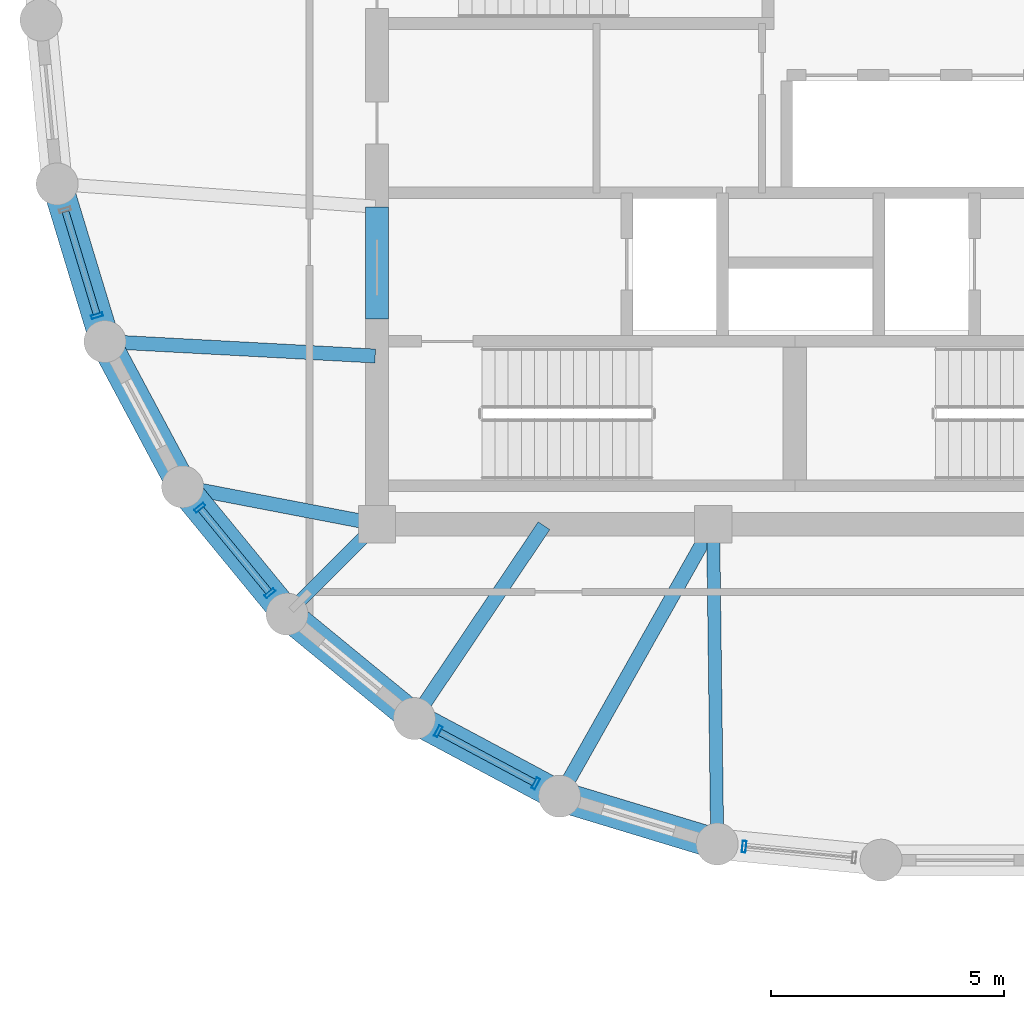
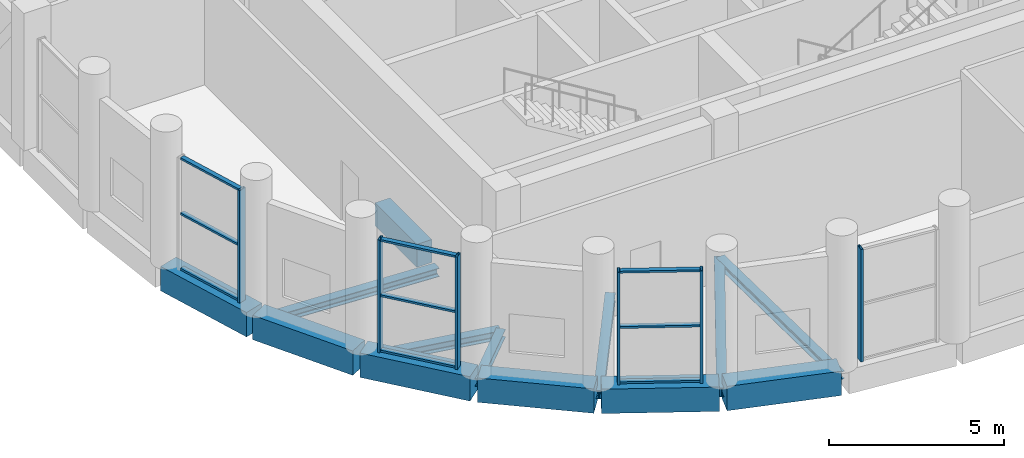
# One storey, part 2 of 16: 15 members, 13 beams, 4 elements without a shape of their own.
"""IFC4 building model written with IfcOpenShell, lengths in metres."""

from ifc_helpers import new_model, si_unit, direction, frame, origin, origin_2d, place, context, subcontext, project, spatial, rectangle, hollow_rectangle, i_section, extrude, material, layer, layer_set, material_profile, profile_set, type_object, element, aggregate, save


model = new_model("IFC4")

# Units and contexts
model_context = context("Model", 3, precision=1e-05, world=origin(), true_north=direction((0.0, 1.0)))
body_context = subcontext(model_context, "Body", "Model", "MODEL_VIEW")
ifc_project = project(units=[si_unit("LENGTHUNIT", "METRE"), si_unit("AREAUNIT", "SQUARE_METRE"), si_unit("VOLUMEUNIT", "CUBIC_METRE"), si_unit("PLANEANGLEUNIT", "RADIAN"), si_unit("MASSUNIT", "GRAM", prefix="KILO")], contexts=[model_context])

# Site, building, storey
site_placement = place(None, origin())
site = spatial("IfcSite", under=ifc_project, at=site_placement, CompositionType="ELEMENT")
building_placement = place(site_placement, origin())
building = spatial("IfcBuilding", under=site, at=building_placement, Name="Solnavia Interchange Tower", CompositionType="ELEMENT")
storey_placement = place(building_placement, frame((0.0, 0.0, 209.0)))
storey = spatial("IfcBuildingStorey", under=building, at=storey_placement, Name="L52", CompositionType="ELEMENT", Elevation=209.0)

# Beams
ifc_material_1 = material(Name="Concrete C50/60", Category="concrete")
ifc_material_profile_1 = material_profile(ifc_material_1, rectangle(XDim=0.5, YDim=0.800048828125, at=origin_2d()), Name="RC 500x800")
ifc_profile_set_1 = profile_set([ifc_material_profile_1], Name="Concrete C50/60")
beam_type_1 = type_object("IfcBeamType", Name="Beam-Coupling-RC500x800", PredefinedType="LINTEL", material=ifc_profile_set_1)
beam_1_placement = place(storey_placement, frame((14.39990234375, 15.199951171875, -0.39990234375), z_axis=(0.0, 1.0, 0.0), x_axis=(-1.0, 0.0, 0.0)))
element("IfcBeam", 1, at=beam_1_placement, inside=storey, type_object=beam_type_1, Name="CPB-L52-W1 Core coupling lintel beam", PredefinedType="LINTEL", context=body_context, shape_type="SweptSolid", body=[
    extrude(rectangle(XDim=0.5, YDim=0.800048828125, at=origin_2d()), origin(), (0.0, 0.0, 1.0), 2.400146484375),
])
ifc_material_2 = material(Name="Steel S460", Category="steel")
ifc_material_profile_2 = material_profile(ifc_material_2, i_section(OverallWidth=0.300048828125, OverallDepth=0.300048828125, WebThickness=0.010986328125, FlangeThickness=0.01904296875, FilletRadius=0.027099609375, at=origin_2d()), Name="HEB 300")
ifc_profile_set_2 = profile_set([ifc_material_profile_2], Name="Steel S460")
beam_type_2 = type_object("IfcBeamType", Name="Beam-Girder-HEB300", PredefinedType="BEAM", material=ifc_profile_set_2)
beam_2_placement = place(storey_placement, frame((8.64990234375, 14.707763671875, -0.469970703125), z_axis=(0.998570371303, -0.053452909696, 0.0), x_axis=(0.053452909696, 0.998570371303, 0.0)))
element("IfcBeam", 2, at=beam_2_placement, inside=storey, type_object=beam_type_2, Name="GRD-L52-DR13 Drum radial floor girder", PredefinedType="BEAM", context=body_context, shape_type="SweptSolid", body=[
    extrude(i_section(OverallWidth=0.300048828125, OverallDepth=0.300048828125, WebThickness=0.010986328125, FlangeThickness=0.01904296875, FilletRadius=0.027099609375, at=origin_2d()), origin(), (0.0, 0.0, 1.0), 5.71826171875),
])
beam_3_placement = place(storey_placement, frame((15.24462890625, 6.700439453125, -0.469970703125), z_axis=(0.557835474219, 0.829951555033, 0.0), x_axis=(-0.829951555033, 0.557835474219, 0.0)))
element("IfcBeam", 3, at=beam_3_placement, inside=storey, type_object=beam_type_2, Name="GRD-L52-DR16 Drum radial floor girder", PredefinedType="BEAM", context=body_context, shape_type="SweptSolid", body=[
    extrude(i_section(OverallWidth=0.300048828125, OverallDepth=0.300048828125, WebThickness=0.010986328125, FlangeThickness=0.01904296875, FilletRadius=0.027099609375, at=origin_2d()), origin(), (0.0, 0.0, 1.0), 4.899658203125),
])
ifc_material_3 = material(Name="Steel S355", Category="steel")
ifc_material_profile_3 = material_profile(ifc_material_3, i_section(OverallWidth=0.280029296875, OverallDepth=0.27001953125, WebThickness=0.008056640625, FlangeThickness=0.012939453125, FilletRadius=0.02392578125, at=origin_2d()), Name="HEA 280")
ifc_profile_set_3 = profile_set([ifc_material_profile_3], Name="Steel S355")
beam_type_3 = type_object("IfcBeamType", Name="Beam-Primary-HEA280", PredefinedType="BEAM", material=ifc_profile_set_3)
beam_4_placement = place(storey_placement, frame((12.528564453125, 8.9287109375, -0.455078125), z_axis=(0.707106781187, 0.707106781187, 0.0), x_axis=(-0.707106781187, 0.707106781187, 0.0)))
element("IfcBeam", 4, at=beam_4_placement, inside=storey, type_object=beam_type_3, Name="GRD-L52-DR15 Drum radial floor girder", PredefinedType="BEAM", context=body_context, shape_type="SweptSolid", body=[
    extrude(i_section(OverallWidth=0.280029296875, OverallDepth=0.27001953125, WebThickness=0.008056640625, FlangeThickness=0.012939453125, FilletRadius=0.02392578125, at=origin_2d()), origin(), (0.0, 0.0, 1.0), 2.6064453125),
])
beam_5_placement = place(storey_placement, frame((21.68701171875, 4.02587890625, -0.455078125), z_axis=(-0.01283293513, 0.999917654498, 0.0), x_axis=(-0.999917654498, -0.01283293513, 0.0)))
element("IfcBeam", 5, at=beam_5_placement, inside=storey, type_object=beam_type_3, Name="GRD-L52-DR18 Drum radial floor girder", PredefinedType="BEAM", context=body_context, shape_type="SweptSolid", body=[
    extrude(i_section(OverallWidth=0.280029296875, OverallDepth=0.27001953125, WebThickness=0.008056640625, FlangeThickness=0.012939453125, FilletRadius=0.02392578125, at=origin_2d()), origin(), (0.0, 0.0, 1.0), 6.734619140625),
])
ifc_material_profile_4 = material_profile(ifc_material_3, i_section(OverallWidth=0.300048828125, OverallDepth=0.31005859375, WebThickness=0.009033203125, FlangeThickness=0.015380859375, FilletRadius=0.027099609375, at=origin_2d()), Name="HEA 320")
ifc_profile_set_4 = profile_set([ifc_material_profile_4], Name="Steel S355")
beam_type_4 = type_object("IfcBeamType", Name="Beam-Primary-HEA320", PredefinedType="BEAM", material=ifc_profile_set_4)
beam_6_placement = place(storey_placement, frame((10.3125, 11.5849609375, -0.47509765625), z_axis=(0.982057527796, -0.188581579428, 0.0), x_axis=(0.188581579428, 0.982057527796, 0.0)))
element("IfcBeam", 6, at=beam_6_placement, inside=storey, type_object=beam_type_4, Name="GRD-L52-DR14 Drum radial floor girder", PredefinedType="BEAM", context=body_context, shape_type="SweptSolid", body=[
    extrude(i_section(OverallWidth=0.300048828125, OverallDepth=0.31005859375, WebThickness=0.009033203125, FlangeThickness=0.015380859375, FilletRadius=0.027099609375, at=origin_2d()), origin(), (0.0, 0.0, 1.0), 4.1220703125),
])
beam_7_placement = place(storey_placement, frame((18.351318359375, 5.039794921875, -0.47509765625), z_axis=(0.491243158486, 0.871022479182, 0.0), x_axis=(-0.871022479182, 0.491243158486, 0.0)))
element("IfcBeam", 7, at=beam_7_placement, inside=storey, type_object=beam_type_4, Name="GRD-L52-DR17 Drum radial floor girder", PredefinedType="BEAM", context=body_context, shape_type="SweptSolid", body=[
    extrude(i_section(OverallWidth=0.300048828125, OverallDepth=0.31005859375, WebThickness=0.009033203125, FlangeThickness=0.015380859375, FilletRadius=0.027099609375, at=origin_2d()), origin(), (0.0, 0.0, 1.0), 6.5732421875),
])
ifc_material_profile_5 = material_profile(ifc_material_1, rectangle(XDim=0.64990234375, YDim=0.85009765625, at=origin_2d()), Name="RC 650x850")
ifc_profile_set_5 = profile_set([ifc_material_profile_5], Name="Concrete C50/60")
beam_type_5 = type_object("IfcBeamType", Name="Beam-Spandrel-RC650x850", PredefinedType="SPANDREL", material=ifc_profile_set_5)
beam_8_placement = place(storey_placement, frame((7.569091796875, 18.011474609375, -0.425048828125), z_axis=(0.290319223646, -0.956929855518, 0.0), x_axis=(0.956929855518, 0.290319223646, 0.0)))
element("IfcBeam", 8, at=beam_8_placement, inside=storey, type_object=beam_type_5, Name="SPB-L52-02 Framed-tube perimeter spandrel beam", PredefinedType="SPANDREL", context=body_context, shape_type="SweptSolid", body=[
    extrude(rectangle(XDim=0.64990234375, YDim=0.85009765625, at=origin_2d()), origin(), (0.0, 0.0, 1.0), 3.367919921875),
])
beam_9_placement = place(storey_placement, frame((8.607666015625, 14.6416015625, -0.425048828125), z_axis=(0.471509422952, -0.881861023102, 0.0), x_axis=(0.881861023102, 0.471509422952, 0.0)))
element("IfcBeam", 9, at=beam_9_placement, inside=storey, type_object=beam_type_5, Name="SPB-L52-03 Framed-tube perimeter spandrel beam", PredefinedType="SPANDREL", context=body_context, shape_type="SweptSolid", body=[
    extrude(rectangle(XDim=0.64990234375, YDim=0.85009765625, at=origin_2d()), origin(), (0.0, 0.0, 1.0), 3.369140625),
])
for number, where, z_axis, x_axis, name in (
    (10, (10.28466796875, 11.5380859375, -0.425048828125), (0.634298841675, -0.773087950656, 0.0), (0.773087950656, 0.634298841675, 0.0), "SPB-L52-04 Framed-tube perimeter spandrel beam"),
    (11, (12.53369140625, 8.8212890625, -0.425048828125), (0.773152644452, -0.634219984214, 0.0), (0.634219984214, 0.773152644452, 0.0), "SPB-L52-05 Framed-tube perimeter spandrel beam"),
):
    element("IfcBeam", number, at=place(storey_placement, frame(where, z_axis=z_axis, x_axis=x_axis)), inside=storey, type_object=beam_type_5, Name=name, PredefinedType="SPANDREL", context=body_context, shape_type="SweptSolid", body=[
        extrude(rectangle(XDim=0.64990234375, YDim=0.85009765625, at=origin_2d()), origin(), (0.0, 0.0, 1.0), 3.36865234375),
    ])
beam_10_placement = place(storey_placement, frame((15.2705078125, 6.59619140625, -0.425048828125), z_axis=(0.881875044348, -0.47148319817, 0.0), x_axis=(0.47148319817, 0.881875044348, 0.0)))
element("IfcBeam", 12, at=beam_10_placement, inside=storey, type_object=beam_type_5, Name="SPB-L52-06 Framed-tube perimeter spandrel beam", PredefinedType="SPANDREL", context=body_context, shape_type="SweptSolid", body=[
    extrude(rectangle(XDim=0.64990234375, YDim=0.85009765625, at=origin_2d()), origin(), (0.0, 0.0, 1.0), 3.368896484375),
])
beam_11_placement = place(storey_placement, frame((18.388671875, 4.94677734375, -0.425048828125), z_axis=(0.956943884494, -0.290272978297, 0.0), x_axis=(0.290272978297, 0.956943884494, 0.0)))
element("IfcBeam", 13, at=beam_11_placement, inside=storey, type_object=beam_type_5, Name="SPB-L52-07 Framed-tube perimeter spandrel beam", PredefinedType="SPANDREL", context=body_context, shape_type="SweptSolid", body=[
    extrude(rectangle(XDim=0.64990234375, YDim=0.85009765625, at=origin_2d()), origin(), (0.0, 0.0, 1.0), 3.36767578125),
])

# Curtain wall, member
ifc_material_4 = material(Name="Aluminium Alloy 6063-T6", Category="aluminium")
ifc_layer = layer(ifc_material_4, 0.27001953125)
ifc_layer_set = layer_set([ifc_layer], Name="Aluminium Alloy 6063-T6")
curtain_wall_type = type_object("IfcCurtainWallType", Name="CurtainWall-SkyLobby-CTW4", PredefinedType="NOTDEFINED", material=ifc_layer_set)
curtain_wall_1_placement = place(storey_placement, origin())
curtain_wall_1 = element("IfcCurtainWall", 14, at=curtain_wall_1_placement, inside=storey, type_object=curtain_wall_type, Name="CTW-L52-S46 CTW-4 curtain wall", PredefinedType="NOTDEFINED")
ifc_material_profile_6 = material_profile(ifc_material_4, hollow_rectangle(XDim=0.080078125, YDim=0.25, WallThickness=0.006103515625, at=origin_2d()), Name="ALU 250x80x6")
ifc_profile_set_6 = profile_set([ifc_material_profile_6], Name="Aluminium Alloy 6063-T6")
member_type_1 = type_object("IfcMemberType", Name="CW-Mullion-CWM-4", PredefinedType="MULLION", material=ifc_profile_set_6)
member_1_placement = place(storey_placement, frame((8.401611328125, 15.26708984375, 0.0), z_axis=(0.0, 0.0, 1.0), x_axis=(0.290299913815, -0.95693571364, 0.0)))
member_1 = element("IfcMember", 15, at=member_1_placement, type_object=member_type_1, Name="CTW-4 mullion 2", PredefinedType="MULLION", context=body_context, shape_type="SweptSolid", body=[
    extrude(hollow_rectangle(XDim=0.080078125, YDim=0.25, WallThickness=0.006103515625, at=origin_2d()), origin(), (0.0, 0.0, 1.0), 3.929931640625),
])

# Curtain wall, members
curtain_wall_2_placement = place(storey_placement, origin())
curtain_wall_2 = element("IfcCurtainWall", 16, at=curtain_wall_2_placement, inside=storey, type_object=curtain_wall_type, Name="CTW-L52-S48 CTW-4 curtain wall", PredefinedType="NOTDEFINED")
member_2_placement = place(storey_placement, frame((10.601806640625, 11.151611328125, 0.0), z_axis=(0.0, 0.0, 1.0), x_axis=(0.634260283155, -0.773119585324, 0.0)))
member_2 = element("IfcMember", 17, at=member_2_placement, type_object=member_type_1, Name="CTW-4 mullion 1", PredefinedType="MULLION", context=body_context, shape_type="SweptSolid", body=[
    extrude(hollow_rectangle(XDim=0.080078125, YDim=0.25, WallThickness=0.006103515625, at=origin_2d()), origin(), (0.0, 0.0, 1.0), 3.929931640625),
])
member_3_placement = place(storey_placement, frame((12.104248046875, 9.3203125, 0.0), z_axis=(0.0, 0.0, 1.0), x_axis=(0.634260283155, -0.773119585324, 0.0)))
member_3 = element("IfcMember", 18, at=member_3_placement, type_object=member_type_1, Name="CTW-4 mullion 2", PredefinedType="MULLION", context=body_context, shape_type="SweptSolid", body=[
    extrude(hollow_rectangle(XDim=0.080078125, YDim=0.25, WallThickness=0.006103515625, at=origin_2d()), origin(), (0.0, 0.0, 1.0), 3.929931640625),
])

curtain_wall_3_placement = place(storey_placement, origin())
curtain_wall_3 = element("IfcCurtainWall", 19, at=curtain_wall_3_placement, inside=storey, type_object=curtain_wall_type, Name="CTW-L52-S50 CTW-4 curtain wall", PredefinedType="NOTDEFINED")
member_4_placement = place(storey_placement, frame((15.71142578125, 6.360595703125, 0.0), z_axis=(0.0, 0.0, 1.0), x_axis=(0.881841507156, -0.471545921683, 0.0)))
member_4 = element("IfcMember", 20, at=member_4_placement, type_object=member_type_1, Name="CTW-4 mullion 1", PredefinedType="MULLION", context=body_context, shape_type="SweptSolid", body=[
    extrude(hollow_rectangle(XDim=0.080078125, YDim=0.25, WallThickness=0.006103515625, at=origin_2d()), origin(), (0.0, 0.0, 1.0), 3.929931640625),
])
member_5_placement = place(storey_placement, frame((17.800537109375, 5.243408203125, 0.0), z_axis=(0.0, 0.0, 1.0), x_axis=(0.881841507156, -0.471545921683, 0.0)))
member_5 = element("IfcMember", 21, at=member_5_placement, type_object=member_type_1, Name="CTW-4 mullion 2", PredefinedType="MULLION", context=body_context, shape_type="SweptSolid", body=[
    extrude(hollow_rectangle(XDim=0.080078125, YDim=0.25, WallThickness=0.006103515625, at=origin_2d()), origin(), (0.0, 0.0, 1.0), 3.929931640625),
])

# Curtain wall, member
curtain_wall_4_placement = place(storey_placement, origin())
curtain_wall_4 = element("IfcCurtainWall", 22, at=curtain_wall_4_placement, inside=storey, type_object=curtain_wall_type, Name="CTW-L52-S52 CTW-4 curtain wall", PredefinedType="NOTDEFINED")
member_6_placement = place(storey_placement, frame((22.26513671875, 3.88916015625, 0.0), z_axis=(0.0, 0.0, 1.0), x_axis=(0.995178481157, -0.098080531415, 0.0)))
member_6 = element("IfcMember", 23, at=member_6_placement, type_object=member_type_1, Name="CTW-4 mullion 1", PredefinedType="MULLION", context=body_context, shape_type="SweptSolid", body=[
    extrude(hollow_rectangle(XDim=0.080078125, YDim=0.25, WallThickness=0.006103515625, at=origin_2d()), origin(), (0.0, 0.0, 1.0), 3.929931640625),
])
aggregate(curtain_wall_4, [member_6])

# Member
ifc_material_profile_7 = material_profile(ifc_material_4, hollow_rectangle(XDim=0.070068359375, YDim=0.14990234375, WallThickness=0.00439453125, at=origin_2d()), Name="ALU 150x70x4.5")
ifc_profile_set_7 = profile_set([ifc_material_profile_7], Name="Aluminium Alloy 6063-T6")
member_type_2 = type_object("IfcMemberType", Name="CW-Transom-CWT-4", PredefinedType="USERDEFINED", material=ifc_profile_set_7)
member_7_placement = place(storey_placement, frame((7.725830078125, 17.49462890625, 0.034912109375), z_axis=(0.290371677406, -0.956913940206, 0.0), x_axis=(0.0, 0.0, 1.0)))
member_7 = element("IfcMember", 24, at=member_7_placement, type_object=member_type_2, Name="CTW-4 transom 1.1", ObjectType="TRANSOM", PredefinedType="USERDEFINED", context=body_context, shape_type="SweptSolid", body=[
    extrude(hollow_rectangle(XDim=0.070068359375, YDim=0.14990234375, WallThickness=0.00439453125, at=origin_2d()), origin(), (0.0, 0.0, 1.0), 2.287841796875),
])

member_8_placement = place(storey_placement, frame((7.725830078125, 17.49462890625, 1.965087890625), z_axis=(0.290371677406, -0.956913940206, 0.0), x_axis=(0.0, 0.0, 1.0)))
member_8 = element("IfcMember", 25, at=member_8_placement, type_object=member_type_2, Name="CTW-4 transom 1.2", ObjectType="TRANSOM", PredefinedType="USERDEFINED", context=body_context, shape_type="SweptSolid", body=[
    extrude(hollow_rectangle(XDim=0.070068359375, YDim=0.14990234375, WallThickness=0.00439453125, at=origin_2d()), origin(), (0.0, 0.0, 1.0), 2.287841796875),
])

member_9_placement = place(storey_placement, frame((7.725830078125, 17.49462890625, 3.89501953125), z_axis=(0.290371677406, -0.956913940206, 0.0), x_axis=(0.0, 0.0, 1.0)))
member_9 = element("IfcMember", 26, at=member_9_placement, type_object=member_type_2, Name="CTW-4 transom 1.3", ObjectType="TRANSOM", PredefinedType="USERDEFINED", context=body_context, shape_type="SweptSolid", body=[
    extrude(hollow_rectangle(XDim=0.070068359375, YDim=0.14990234375, WallThickness=0.00439453125, at=origin_2d()), origin(), (0.0, 0.0, 1.0), 2.287841796875),
])

aggregate(curtain_wall_1, [member_1, member_7, member_8, member_9])

member_10_placement = place(storey_placement, frame((10.627197265625, 11.12060546875, 0.034912109375), z_axis=(0.634300264207, -0.773086783503, 0.0), x_axis=(0.0, 0.0, 1.0)))
member_10 = element("IfcMember", 27, at=member_10_placement, type_object=member_type_2, Name="CTW-4 transom 1.1", ObjectType="TRANSOM", PredefinedType="USERDEFINED", context=body_context, shape_type="SweptSolid", body=[
    extrude(hollow_rectangle(XDim=0.070068359375, YDim=0.14990234375, WallThickness=0.00439453125, at=origin_2d()), origin(), (0.0, 0.0, 1.0), 2.28857421875),
])

member_11_placement = place(storey_placement, frame((10.627197265625, 11.12060546875, 1.965087890625), z_axis=(0.634300264207, -0.773086783503, 0.0), x_axis=(0.0, 0.0, 1.0)))
member_11 = element("IfcMember", 28, at=member_11_placement, type_object=member_type_2, Name="CTW-4 transom 1.2", ObjectType="TRANSOM", PredefinedType="USERDEFINED", context=body_context, shape_type="SweptSolid", body=[
    extrude(hollow_rectangle(XDim=0.070068359375, YDim=0.14990234375, WallThickness=0.00439453125, at=origin_2d()), origin(), (0.0, 0.0, 1.0), 2.28857421875),
])

member_12_placement = place(storey_placement, frame((10.627197265625, 11.12060546875, 3.89501953125), z_axis=(0.634300264207, -0.773086783503, 0.0), x_axis=(0.0, 0.0, 1.0)))
member_12 = element("IfcMember", 29, at=member_12_placement, type_object=member_type_2, Name="CTW-4 transom 1.3", ObjectType="TRANSOM", PredefinedType="USERDEFINED", context=body_context, shape_type="SweptSolid", body=[
    extrude(hollow_rectangle(XDim=0.070068359375, YDim=0.14990234375, WallThickness=0.00439453125, at=origin_2d()), origin(), (0.0, 0.0, 1.0), 2.28857421875),
])

aggregate(curtain_wall_2, [member_2, member_3, member_10, member_11, member_12])

member_13_placement = place(storey_placement, frame((15.746826171875, 6.341796875, 0.034912109375), z_axis=(0.881779483684, -0.471661893897, 0.0), x_axis=(0.0, 0.0, 1.0)))
member_13 = element("IfcMember", 30, at=member_13_placement, type_object=member_type_2, Name="CTW-4 transom 1.1", ObjectType="TRANSOM", PredefinedType="USERDEFINED", context=body_context, shape_type="SweptSolid", body=[
    extrude(hollow_rectangle(XDim=0.070068359375, YDim=0.14990234375, WallThickness=0.00439453125, at=origin_2d()), origin(), (0.0, 0.0, 1.0), 2.288818359375),
])

member_14_placement = place(storey_placement, frame((15.746826171875, 6.341796875, 1.965087890625), z_axis=(0.881779483684, -0.471661893897, 0.0), x_axis=(0.0, 0.0, 1.0)))
member_14 = element("IfcMember", 31, at=member_14_placement, type_object=member_type_2, Name="CTW-4 transom 1.2", ObjectType="TRANSOM", PredefinedType="USERDEFINED", context=body_context, shape_type="SweptSolid", body=[
    extrude(hollow_rectangle(XDim=0.070068359375, YDim=0.14990234375, WallThickness=0.00439453125, at=origin_2d()), origin(), (0.0, 0.0, 1.0), 2.288818359375),
])

member_15_placement = place(storey_placement, frame((15.746826171875, 6.341796875, 3.89501953125), z_axis=(0.881779483684, -0.471661893897, 0.0), x_axis=(0.0, 0.0, 1.0)))
member_15 = element("IfcMember", 32, at=member_15_placement, type_object=member_type_2, Name="CTW-4 transom 1.3", ObjectType="TRANSOM", PredefinedType="USERDEFINED", context=body_context, shape_type="SweptSolid", body=[
    extrude(hollow_rectangle(XDim=0.070068359375, YDim=0.14990234375, WallThickness=0.00439453125, at=origin_2d()), origin(), (0.0, 0.0, 1.0), 2.288818359375),
])

aggregate(curtain_wall_3, [member_4, member_5, member_13, member_14, member_15])

save(model, "model.ifc")
